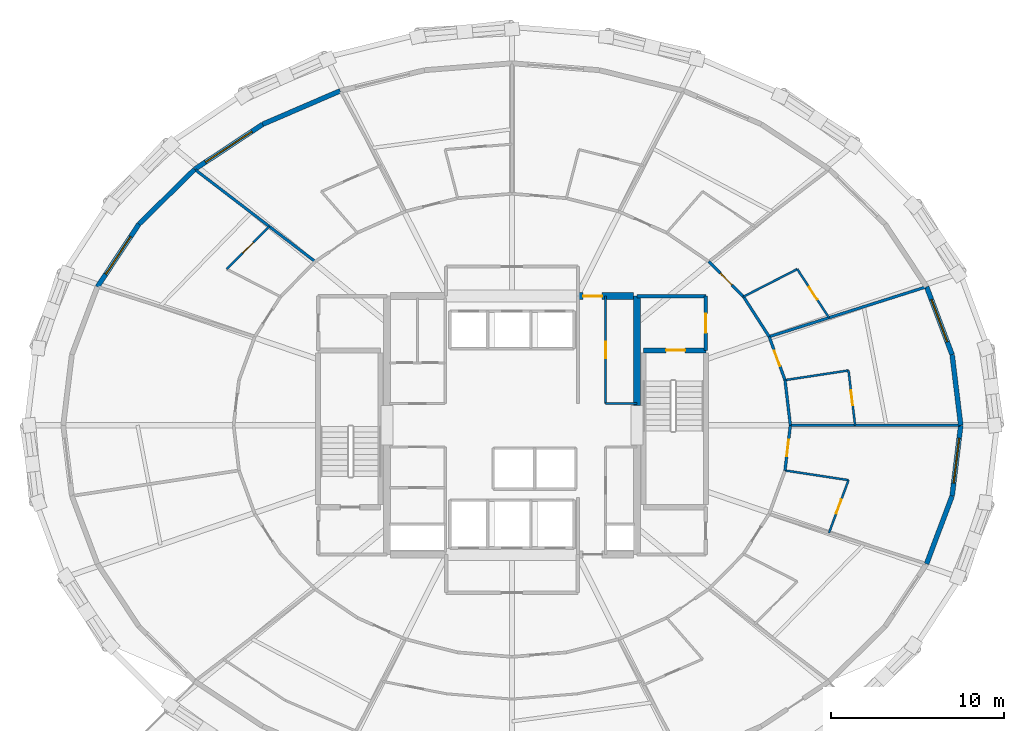
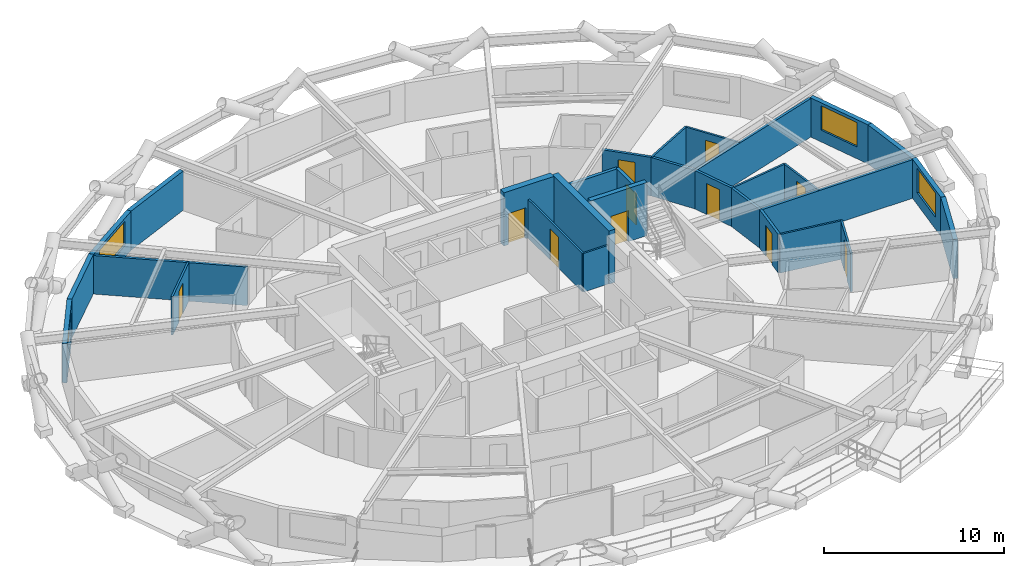
# One storey, part 10 of 13: 30 walls, 11 doors, 4 windows, 15 openings.
"""IFC4 building model written with IfcOpenShell, lengths in metres."""

from ifc_helpers import new_model, si_unit, direction, frame, frame_2d, origin, place, context, subcontext, project, spatial, rectangle, extrude, material, layer, layer_set, type_object, element, fill, save


model = new_model("IFC4")

# Units and contexts
model_context = context("Model", 3, precision=1e-05, world=origin(), true_north=direction((0.0, 1.0)))
body_context = subcontext(model_context, "Body", "Model", "MODEL_VIEW")
ifc_project = project(units=[si_unit("LENGTHUNIT", "METRE"), si_unit("AREAUNIT", "SQUARE_METRE"), si_unit("VOLUMEUNIT", "CUBIC_METRE"), si_unit("PLANEANGLEUNIT", "RADIAN"), si_unit("MASSUNIT", "GRAM", prefix="KILO")], contexts=[model_context])

# Site, building, storey
site_placement = place(None, origin())
site = spatial("IfcSite", under=ifc_project, at=site_placement, CompositionType="ELEMENT")
building_placement = place(site_placement, origin())
building = spatial("IfcBuilding", under=site, at=building_placement, Name="Veldorina Hangang Commons", CompositionType="ELEMENT")
storey_placement = place(building_placement, frame((0.0, 0.0, 37.60009765625)))
storey = spatial("IfcBuildingStorey", under=building, at=storey_placement, Name="L08", CompositionType="ELEMENT", Elevation=37.60009765625)

# Wall
ifc_material_1 = material(Name="Concrete C70/85", Category="concrete")
ifc_layer_1 = layer(ifc_material_1, 0.39990234375)
ifc_layer_set_1 = layer_set([ifc_layer_1], Name="Concrete C70/85")
wall_type_1 = type_object("IfcWallType", Name="CW-RC400-C70", PredefinedType="SHEAR", material=ifc_layer_set_1)
wall_1_placement = place(storey_placement, frame((39.199951171875, 25.14990234375, 0.0), z_axis=(0.0, 0.0, 1.0), x_axis=(0.0, 1.0, 0.0)))
element("IfcWall", 1, at=wall_1_placement, inside=storey, type_object=wall_type_1, Name="L08 E north core shear wall", PredefinedType="SHEAR", context=body_context, shape_type="SweptSolid", body=[
    extrude(rectangle(XDim=6.300048828125, YDim=0.39990234375, at=frame_2d((3.14990234375, 0.0))), origin(), (0.0, 0.0, 1.0), 3.599853515625),
])

# Wall, opening, door
wall_2_placement = place(storey_placement, frame((35.800048828125, 31.449951171875, 0.0), z_axis=(0.0, 0.0, 1.0), x_axis=(1.0, 0.0, 0.0)))
wall_2 = element("IfcWall", 2, at=wall_2_placement, inside=storey, type_object=wall_type_1, Name="L08 north-east core shear wall", PredefinedType="SHEAR", context=body_context, shape_type="SweptSolid", body=[
    extrude(rectangle(XDim=3.199951171875, YDim=0.39990234375, at=frame_2d((1.60009765625, 0.0))), origin(), (0.0, 0.0, 1.0), 3.599853515625),
])
opening_1_placement = place(wall_2_placement, frame((0.300048828125, 0.0, 0.0)))
opening_1 = element("IfcOpeningElement", 3, at=opening_1_placement, cuts=wall_2, Name="Opening D-08", PredefinedType="OPENING", context=body_context, shape_type="SweptSolid", body=[
    extrude(rectangle(XDim=1.10009765625, YDim=2.10009765625, at=frame_2d((0.550048828125, 1.050048828125))), frame((0.0, 0.2099609375, 0.0), z_axis=(0.0, -1.0, 0.0), x_axis=(1.0, 0.0, 0.0)), (0.0, 0.0, 1.0), 0.419921875),
])
ifc_material_2 = material(Name="Steel Fire-Rated Smoke Seal", Category="steel")
door_type_1 = type_object("IfcDoorType", Name="DR-FIRE-1100", OperationType="SINGLE_SWING_RIGHT", PredefinedType="DOOR", material=ifc_material_2)
door_1_placement = place(opening_1_placement, origin())
door_1 = element("IfcDoor", 4, at=door_1_placement, inside=storey, type_object=door_type_1, Name="L08 central lift lobby north corridor door", OperationType="SINGLE_SWING_LEFT", OverallHeight=2.10009765625, OverallWidth=1.10009765625, PredefinedType="DOOR", context=body_context, shape_type="SweptSolid", body=[
    extrude(rectangle(XDim=1.10009765625, YDim=2.10009765625, at=frame_2d((0.550048828125, 1.050048828125))), frame((0.0, 0.02490234375, 0.0), z_axis=(0.0, -1.0, 0.0), x_axis=(1.0, 0.0, 0.0)), (0.0, 0.0, 1.0), 0.050048828125),
])
fill(opening_1, door_1)

# Wall
ifc_material_3 = material(Name="Stone Roman Travertine", Category="masonry")
ifc_layer_2 = layer(ifc_material_3, 0.280029296875)
ifc_layer_set_2 = layer_set([ifc_layer_2], Name="Stone Roman Travertine")
wall_type_2 = type_object("IfcWallType", Name="EW-TRAV-280", PredefinedType="STANDARD", material=ifc_layer_set_2)
wall_3_placement = place(storey_placement, frame((57.873779296875, 24.0, 0.0), z_axis=(0.0, 0.0, 1.0), x_axis=(-0.121163069923, 0.99263261607, 0.0)))
element("IfcWall", 5, at=wall_3_placement, inside=storey, type_object=wall_type_2, Name="L08 travertine facade wall 00", PredefinedType="STANDARD", context=body_context, shape_type="SweptSolid", body=[
    extrude(rectangle(XDim=4.1025390625, YDim=0.280029296875, at=frame_2d((2.05126953125, 0.0))), origin(), (0.0, 0.0, 1.0), 2.64990234375),
])

# Wall, opening, window
wall_4_placement = place(storey_placement, frame((57.376708984375, 28.072265625, 0.0), z_axis=(0.0, 0.0, 1.0), x_axis=(-0.351961107614, 0.936014625274, 0.0)))
wall_4 = element("IfcWall", 6, at=wall_4_placement, inside=storey, type_object=wall_type_2, Name="L08 travertine facade wall 01", PredefinedType="STANDARD", context=body_context, shape_type="SweptSolid", body=[
    extrude(rectangle(XDim=4.183349609375, YDim=0.280029296875, at=frame_2d((2.091796875, 0.0))), origin(), (0.0, 0.0, 1.0), 2.64990234375),
])
opening_2_placement = place(wall_4_placement, frame((0.791748046875, 0.0, 0.800048828125)))
opening_2 = element("IfcOpeningElement", 7, at=opening_2_placement, cuts=wall_4, Name="Opening W-02", PredefinedType="OPENING", context=body_context, shape_type="SweptSolid", body=[
    extrude(rectangle(XDim=2.60009765625, YDim=1.64990234375, at=frame_2d((1.300048828125, 0.824951171875))), frame((0.0, 0.14990234375, 0.0), z_axis=(0.0, -1.0, 0.0), x_axis=(1.0, 0.0, 0.0)), (0.0, 0.0, 1.0), 0.300048828125),
])
ifc_material_4 = material(Name="Glass Low-E Triple IGU", Category="glass")
window_type_1 = type_object("IfcWindowType", Name="WIN-TWR-2600", PartitioningType="SINGLE_PANEL", PredefinedType="WINDOW", material=ifc_material_4)
window_1_placement = place(opening_2_placement, origin())
window_1 = element("IfcWindow", 8, at=window_1_placement, inside=storey, type_object=window_type_1, Name="L08 facade window 01", OverallHeight=1.64990234375, OverallWidth=2.60009765625, PartitioningType="SINGLE_PANEL", PredefinedType="WINDOW", context=body_context, shape_type="SweptSolid", body=[
    extrude(rectangle(XDim=2.60009765625, YDim=1.64990234375, at=frame_2d((1.300048828125, 0.824951171875))), frame((0.0, 0.030029296875, 0.0), z_axis=(0.0, -1.0, 0.0), x_axis=(1.0, 0.0, 0.0)), (0.0, 0.0, 1.0), 0.06005859375),
])
fill(opening_2, window_1)

# Wall
wall_5_placement = place(storey_placement, frame((22.098388671875, 43.284912109375, 0.0), z_axis=(0.0, 0.0, 1.0), x_axis=(-0.918258741023, -0.395980914356, 0.0)))
element("IfcWall", 9, at=wall_5_placement, inside=storey, type_object=wall_type_2, Name="L08 travertine facade wall 10", PredefinedType="STANDARD", context=body_context, shape_type="SweptSolid", body=[
    extrude(rectangle(XDim=4.871337890625, YDim=0.280029296875, at=frame_2d((2.435546875, 0.0))), origin(), (0.0, 0.0, 1.0), 2.64990234375),
])

# Wall, opening, window
wall_6_placement = place(storey_placement, frame((17.625244140625, 41.35595703125, 0.0), z_axis=(0.0, 0.0, 1.0), x_axis=(-0.833795486972, -0.552073442492, 0.0)))
wall_6 = element("IfcWall", 10, at=wall_6_placement, inside=storey, type_object=wall_type_2, Name="L08 travertine facade wall 11", PredefinedType="STANDARD", context=body_context, shape_type="SweptSolid", body=[
    extrude(rectangle(XDim=4.7021484375, YDim=0.280029296875, at=frame_2d((2.35107421875, 0.0))), origin(), (0.0, 0.0, 1.0), 2.64990234375),
])
opening_3_placement = place(wall_6_placement, frame((0.751220703125, 0.0, 0.800048828125)))
opening_3 = element("IfcOpeningElement", 11, at=opening_3_placement, cuts=wall_6, Name="Opening W-01", PredefinedType="OPENING", context=body_context, shape_type="SweptSolid", body=[
    extrude(rectangle(XDim=3.199951171875, YDim=1.64990234375, at=frame_2d((1.60009765625, 0.824951171875))), frame((0.0, 0.14990234375, 0.0), z_axis=(0.0, -1.0, 0.0), x_axis=(1.0, 0.0, 0.0)), (0.0, 0.0, 1.0), 0.300048828125),
])
window_type_2 = type_object("IfcWindowType", Name="WIN-TWR-3200", PartitioningType="SINGLE_PANEL", PredefinedType="WINDOW", material=ifc_material_4)
window_2_placement = place(opening_3_placement, origin())
window_2 = element("IfcWindow", 12, at=window_2_placement, inside=storey, type_object=window_type_2, Name="L08 facade window 11", OverallHeight=1.64990234375, OverallWidth=3.199951171875, PartitioningType="SINGLE_PANEL", PredefinedType="WINDOW", context=body_context, shape_type="SweptSolid", body=[
    extrude(rectangle(XDim=3.199951171875, YDim=1.64990234375, at=frame_2d((1.60009765625, 0.824951171875))), frame((0.0, 0.030029296875, 0.0), z_axis=(0.0, -1.0, 0.0), x_axis=(1.0, 0.0, 0.0)), (0.0, 0.0, 1.0), 0.06005859375),
])
fill(opening_3, window_2)

# Wall
wall_7_placement = place(storey_placement, frame((13.70458984375, 38.760009765625, 0.0), z_axis=(0.0, 0.0, 1.0), x_axis=(-0.713140886871, -0.701020738262, 0.0)))
element("IfcWall", 13, at=wall_7_placement, inside=storey, type_object=wall_type_2, Name="L08 travertine facade wall 12", PredefinedType="STANDARD", context=body_context, shape_type="SweptSolid", body=[
    extrude(rectangle(XDim=4.51220703125, YDim=0.280029296875, at=frame_2d((2.256103515625, 0.0))), origin(), (0.0, 0.0, 1.0), 2.64990234375),
])

# Wall, opening, window
wall_8_placement = place(storey_placement, frame((10.48681640625, 35.596923828125, 0.0), z_axis=(0.0, 0.0, 1.0), x_axis=(-0.552329372668, -0.833625973737, 0.0)))
wall_8 = element("IfcWall", 14, at=wall_8_placement, inside=storey, type_object=wall_type_2, Name="L08 travertine facade wall 13", PredefinedType="STANDARD", context=body_context, shape_type="SweptSolid", body=[
    extrude(rectangle(XDim=4.3291015625, YDim=0.280029296875, at=frame_2d((2.16455078125, 0.0))), origin(), (0.0, 0.0, 1.0), 2.64990234375),
])
opening_4_placement = place(wall_8_placement, frame((0.864501953125, 0.0, 0.800048828125)))
opening_4 = element("IfcOpeningElement", 15, at=opening_4_placement, cuts=wall_8, Name="Opening W-02", PredefinedType="OPENING", context=body_context, shape_type="SweptSolid", body=[
    extrude(rectangle(XDim=2.60009765625, YDim=1.64990234375, at=frame_2d((1.300048828125, 0.824951171875))), frame((0.0, 0.14990234375, 0.0), z_axis=(0.0, -1.0, 0.0), x_axis=(1.0, 0.0, 0.0)), (0.0, 0.0, 1.0), 0.300048828125),
])
window_3_placement = place(opening_4_placement, origin())
window_3 = element("IfcWindow", 16, at=window_3_placement, inside=storey, type_object=window_type_1, Name="L08 facade window 13", OverallHeight=1.64990234375, OverallWidth=2.60009765625, PartitioningType="SINGLE_PANEL", PredefinedType="WINDOW", context=body_context, shape_type="SweptSolid", body=[
    extrude(rectangle(XDim=2.60009765625, YDim=1.64990234375, at=frame_2d((1.300048828125, 0.824951171875))), frame((0.0, 0.030029296875, 0.0), z_axis=(0.0, -1.0, 0.0), x_axis=(1.0, 0.0, 0.0)), (0.0, 0.0, 1.0), 0.06005859375),
])
fill(opening_4, window_3)

# Wall
wall_9_placement = place(storey_placement, frame((55.904296875, 16.011962890625, 0.0), z_axis=(0.0, 0.0, 1.0), x_axis=(0.351961107614, 0.936014625274, 0.0)))
element("IfcWall", 17, at=wall_9_placement, inside=storey, type_object=wall_type_2, Name="L08 travertine facade wall 30", PredefinedType="STANDARD", context=body_context, shape_type="SweptSolid", body=[
    extrude(rectangle(XDim=4.183349609375, YDim=0.280029296875, at=frame_2d((2.091796875, 0.0))), origin(), (0.0, 0.0, 1.0), 2.64990234375),
])

# Wall, opening, window
wall_10_placement = place(storey_placement, frame((57.376708984375, 19.927734375, 0.0), z_axis=(0.0, 0.0, 1.0), x_axis=(0.121163069923, 0.99263261607, 0.0)))
wall_10 = element("IfcWall", 18, at=wall_10_placement, inside=storey, type_object=wall_type_2, Name="L08 travertine facade wall 31", PredefinedType="STANDARD", context=body_context, shape_type="SweptSolid", body=[
    extrude(rectangle(XDim=4.1025390625, YDim=0.280029296875, at=frame_2d((2.05126953125, 0.0))), origin(), (0.0, 0.0, 1.0), 2.64990234375),
])
opening_5_placement = place(wall_10_placement, frame((0.751220703125, 0.0, 0.800048828125)))
opening_5 = element("IfcOpeningElement", 19, at=opening_5_placement, cuts=wall_10, Name="Opening W-02", PredefinedType="OPENING", context=body_context, shape_type="SweptSolid", body=[
    extrude(rectangle(XDim=2.60009765625, YDim=1.64990234375, at=frame_2d((1.300048828125, 0.824951171875))), frame((0.0, 0.14990234375, 0.0), z_axis=(0.0, -1.0, 0.0), x_axis=(1.0, 0.0, 0.0)), (0.0, 0.0, 1.0), 0.300048828125),
])
window_4_placement = place(opening_5_placement, origin())
window_4 = element("IfcWindow", 20, at=window_4_placement, inside=storey, type_object=window_type_1, Name="L08 facade window 31", OverallHeight=1.64990234375, OverallWidth=2.60009765625, PartitioningType="SINGLE_PANEL", PredefinedType="WINDOW", context=body_context, shape_type="SweptSolid", body=[
    extrude(rectangle(XDim=2.60009765625, YDim=1.64990234375, at=frame_2d((1.300048828125, 0.824951171875))), frame((0.0, 0.030029296875, 0.0), z_axis=(0.0, -1.0, 0.0), x_axis=(1.0, 0.0, 0.0)), (0.0, 0.0, 1.0), 0.06005859375),
])
fill(opening_5, window_4)

# Wall, opening, door
ifc_material_5 = material(Name="Concrete C50/60", Category="concrete")
ifc_layer_3 = layer(ifc_material_5, 0.300048828125)
ifc_layer_set_3 = layer_set([ifc_layer_3], Name="Concrete C50/60")
wall_type_3 = type_object("IfcWallType", Name="SW-STAIR-300", PredefinedType="SHEAR", material=ifc_layer_set_3)
wall_11_placement = place(storey_placement, frame((39.580078125, 28.320068359375, 0.0), z_axis=(0.0, 0.0, 1.0), x_axis=(1.0, 0.0, 0.0)))
wall_11 = element("IfcWall", 21, at=wall_11_placement, inside=storey, type_object=wall_type_3, Name="L08 ST2 north stair shear wall", PredefinedType="SHEAR", context=body_context, shape_type="SweptSolid", body=[
    extrude(rectangle(XDim=3.599853515625, YDim=0.300048828125, at=frame_2d((1.7998046875, 0.0))), origin(), (0.0, 0.0, 1.0), 3.599853515625),
])
opening_6_placement = place(wall_11_placement, frame((1.300048828125, 0.0, 0.0)))
opening_6 = element("IfcOpeningElement", 22, at=opening_6_placement, cuts=wall_11, Name="Opening D-08", PredefinedType="OPENING", context=body_context, shape_type="SweptSolid", body=[
    extrude(rectangle(XDim=1.10009765625, YDim=2.10009765625, at=frame_2d((0.550048828125, 1.050048828125))), frame((0.0, 0.16015625, 0.0), z_axis=(0.0, -1.0, 0.0), x_axis=(1.0, 0.0, 0.0)), (0.0, 0.0, 1.0), 0.320068359375),
])
door_2_placement = place(opening_6_placement, origin())
door_2 = element("IfcDoor", 23, at=door_2_placement, inside=storey, type_object=door_type_1, Name="L08 Special Escape Stair ST-2 door", OperationType="SINGLE_SWING_RIGHT", OverallHeight=2.10009765625, OverallWidth=1.10009765625, PredefinedType="DOOR", context=body_context, shape_type="SweptSolid", body=[
    extrude(rectangle(XDim=1.10009765625, YDim=2.10009765625, at=frame_2d((0.550048828125, 1.050048828125))), frame((0.0, 0.02490234375, 0.0), z_axis=(0.0, -1.0, 0.0), x_axis=(1.0, 0.0, 0.0)), (0.0, 0.0, 1.0), 0.050048828125),
])
fill(opening_6, door_2)

# Wall
ifc_material_6 = material(Name="Gypsum Fire-Rated Twin Stud Wall", Category="gypsum")
ifc_layer_4 = layer(ifc_material_6, 0.159912109375)
ifc_layer_set_4 = layer_set([ifc_layer_4], Name="Gypsum Fire-Rated Twin Stud Wall")
wall_type_4 = type_object("IfcWallType", Name="WL-FIRE-160", PredefinedType="SOLIDWALL", material=ifc_layer_set_4)
wall_12_placement = place(storey_placement, frame((48.050048828125, 24.0, 0.0), z_axis=(0.0, 0.0, 1.0), x_axis=(-0.117570353762, 0.993064555765, 0.0)))
element("IfcWall", 24, at=wall_12_placement, inside=storey, type_object=wall_type_4, Name="L08 Corridor outer wall 00 048", PredefinedType="SOLIDWALL", context=body_context, shape_type="SweptSolid", body=[
    extrude(rectangle(XDim=2.622802734375, YDim=0.159912109375, at=frame_2d((1.3115234375, 0.0))), origin(), (0.0, 0.0, 1.0), 2.60986328125),
])

# Wall, opening, door
wall_13_placement = place(storey_placement, frame((47.74169921875, 26.6044921875, 0.0), z_axis=(0.0, 0.0, 1.0), x_axis=(-0.342617982381, 0.939474809747, 0.0)))
wall_13 = element("IfcWall", 25, at=wall_13_placement, inside=storey, type_object=wall_type_4, Name="L08 Corridor outer wall 01 049", PredefinedType="SOLIDWALL", context=body_context, shape_type="SweptSolid", body=[
    extrude(rectangle(XDim=2.665771484375, YDim=0.159912109375, at=frame_2d((1.3330078125, 0.0))), origin(), (0.0, 0.0, 1.0), 2.60986328125),
])
opening_7_placement = place(wall_13_placement, frame((0.85791015625, 0.0, 0.0)))
opening_7 = element("IfcOpeningElement", 26, at=opening_7_placement, cuts=wall_13, Name="Opening D-03", PredefinedType="OPENING", context=body_context, shape_type="SweptSolid", body=[
    extrude(rectangle(XDim=0.949951171875, YDim=2.10009765625, at=frame_2d((0.47509765625, 1.050048828125))), frame((0.0, 0.08984375, 0.0), z_axis=(0.0, -1.0, 0.0), x_axis=(1.0, 0.0, 0.0)), (0.0, 0.0, 1.0), 0.179931640625),
])
ifc_material_7 = material(Name="Timber Fire-Rated Entrance Core", Category="wood")
door_type_2 = type_object("IfcDoorType", Name="DR-UNIT-950", OperationType="SINGLE_SWING_RIGHT", PredefinedType="DOOR", material=ifc_material_7)
door_3_placement = place(opening_7_placement, origin())
door_3 = element("IfcDoor", 27, at=door_3_placement, inside=storey, type_object=door_type_2, Name="L08 Studio 5 entrance door 029", OperationType="SINGLE_SWING_LEFT", OverallHeight=2.10009765625, OverallWidth=0.949951171875, PredefinedType="DOOR", context=body_context, shape_type="SweptSolid", body=[
    extrude(rectangle(XDim=0.949951171875, YDim=2.10009765625, at=frame_2d((0.47509765625, 1.050048828125))), frame((0.0, 0.02490234375, 0.0), z_axis=(0.0, -1.0, 0.0), x_axis=(1.0, 0.0, 0.0)), (0.0, 0.0, 1.0), 0.050048828125),
])
fill(opening_7, door_3)

# Wall
wall_14_placement = place(storey_placement, frame((46.828369140625, 29.10888671875, 0.0), z_axis=(0.0, 0.0, 1.0), x_axis=(-0.540595670038, 0.841282545603, 0.0)))
element("IfcWall", 28, at=wall_14_placement, inside=storey, type_object=wall_type_4, Name="L08 Corridor outer wall 02 050", PredefinedType="SOLIDWALL", context=body_context, shape_type="SweptSolid", body=[
    extrude(rectangle(XDim=2.74365234375, YDim=0.159912109375, at=frame_2d((1.371826171875, 0.0))), origin(), (0.0, 0.0, 1.0), 2.60986328125),
])

# Wall, opening, door
wall_15_placement = place(storey_placement, frame((45.34521484375, 31.4169921875, 0.0), z_axis=(0.0, 0.0, 1.0), x_axis=(-0.702366174226, 0.711815816981, 0.0)))
wall_15 = element("IfcWall", 29, at=wall_15_placement, inside=storey, type_object=wall_type_4, Name="L08 Corridor outer wall 03 051", PredefinedType="SOLIDWALL", context=body_context, shape_type="SweptSolid", body=[
    extrude(rectangle(XDim=2.842041015625, YDim=0.159912109375, at=frame_2d((1.4208984375, 0.0))), origin(), (0.0, 0.0, 1.0), 2.60986328125),
])
opening_8_placement = place(wall_15_placement, frame((0.94580078125, 0.0, 0.0)))
opening_8 = element("IfcOpeningElement", 30, at=opening_8_placement, cuts=wall_15, Name="Opening D-03", PredefinedType="OPENING", context=body_context, shape_type="SweptSolid", body=[
    extrude(rectangle(XDim=0.949951171875, YDim=2.10009765625, at=frame_2d((0.47509765625, 1.050048828125))), frame((0.0, 0.08984375, 0.0), z_axis=(0.0, -1.0, 0.0), x_axis=(1.0, 0.0, 0.0)), (0.0, 0.0, 1.0), 0.179931640625),
])
door_4_placement = place(opening_8_placement, origin())
door_4 = element("IfcDoor", 31, at=door_4_placement, inside=storey, type_object=door_type_2, Name="L08 Studio 6 entrance door 031", OperationType="SINGLE_SWING_LEFT", OverallHeight=2.10009765625, OverallWidth=0.949951171875, PredefinedType="DOOR", context=body_context, shape_type="SweptSolid", body=[
    extrude(rectangle(XDim=0.949951171875, YDim=2.10009765625, at=frame_2d((0.47509765625, 1.050048828125))), frame((0.0, 0.02490234375, 0.0), z_axis=(0.0, -1.0, 0.0), x_axis=(1.0, 0.0, 0.0)), (0.0, 0.0, 1.0), 0.050048828125),
])
fill(opening_8, door_4)

wall_16_placement = place(storey_placement, frame((47.74169921875, 21.3955078125, 0.0), z_axis=(0.0, 0.0, 1.0), x_axis=(0.117570353762, 0.993064555765, 0.0)))
wall_16 = element("IfcWall", 32, at=wall_16_placement, inside=storey, type_object=wall_type_4, Name="L08 Corridor outer wall 31 079", PredefinedType="SOLIDWALL", context=body_context, shape_type="SweptSolid", body=[
    extrude(rectangle(XDim=2.622802734375, YDim=0.159912109375, at=frame_2d((1.3115234375, 0.0))), origin(), (0.0, 0.0, 1.0), 2.60986328125),
])
opening_9_placement = place(wall_16_placement, frame((0.83642578125, 0.0, 0.0)))
opening_9 = element("IfcOpeningElement", 33, at=opening_9_placement, cuts=wall_16, Name="Opening D-03", PredefinedType="OPENING", context=body_context, shape_type="SweptSolid", body=[
    extrude(rectangle(XDim=0.949951171875, YDim=2.10009765625, at=frame_2d((0.47509765625, 1.050048828125))), frame((0.0, 0.08984375, 0.0), z_axis=(0.0, -1.0, 0.0), x_axis=(1.0, 0.0, 0.0)), (0.0, 0.0, 1.0), 0.179931640625),
])
door_5_placement = place(opening_9_placement, origin())
door_5 = element("IfcDoor", 34, at=door_5_placement, inside=storey, type_object=door_type_2, Name="L08 Studio 4 entrance door 027", OperationType="SINGLE_SWING_LEFT", OverallHeight=2.10009765625, OverallWidth=0.949951171875, PredefinedType="DOOR", context=body_context, shape_type="SweptSolid", body=[
    extrude(rectangle(XDim=0.949951171875, YDim=2.10009765625, at=frame_2d((0.47509765625, 1.050048828125))), frame((0.0, 0.02490234375, 0.0), z_axis=(0.0, -1.0, 0.0), x_axis=(1.0, 0.0, 0.0)), (0.0, 0.0, 1.0), 0.050048828125),
])
fill(opening_9, door_5)

# Walls
wall_17_placement = place(storey_placement, frame((48.050048828125, 24.0, 0.0), z_axis=(0.0, 0.0, 1.0), x_axis=(1.0, 0.0, 0.0)))
element("IfcWall", 35, at=wall_17_placement, inside=storey, type_object=wall_type_4, Name="L08 Unit party wall 00 094", PredefinedType="SOLIDWALL", context=body_context, shape_type="SweptSolid", body=[
    extrude(rectangle(XDim=9.773681640625, YDim=0.159912109375, at=frame_2d((4.88671875, 0.0))), origin(), (0.0, 0.0, 1.0), 2.60986328125),
])
wall_18_placement = place(storey_placement, frame((46.828369140625, 29.10888671875, 0.0), z_axis=(0.0, 0.0, 1.0), x_axis=(0.953188788185, 0.30237581596, 0.0)))
element("IfcWall", 36, at=wall_18_placement, inside=storey, type_object=wall_type_4, Name="L08 Unit party wall 02 097", PredefinedType="SOLIDWALL", context=body_context, shape_type="SweptSolid", body=[
    extrude(rectangle(XDim=9.4716796875, YDim=0.159912109375, at=frame_2d((4.73583984375, 0.0))), origin(), (0.0, 0.0, 1.0), 2.60986328125),
])
wall_19_placement = place(storey_placement, frame((20.65087890625, 33.43994140625, 0.0), z_axis=(0.0, 0.0, 1.0), x_axis=(-0.793917921688, 0.608024944902, 0.0)))
element("IfcWall", 37, at=wall_19_placement, inside=storey, type_object=wall_type_4, Name="L08 Unit party wall 12 112", PredefinedType="SOLIDWALL", context=body_context, shape_type="SweptSolid", body=[
    extrude(rectangle(XDim=8.699462890625, YDim=0.159912109375, at=frame_2d((4.349609375, 0.0))), origin(), (0.0, 0.0, 1.0), 2.60986328125),
])

# Wall, opening, door
ifc_material_8 = material(Name="Concrete Blockwork Fire Wall C30/37", Category="masonry")
ifc_layer_5 = layer(ifc_material_8, 0.199951171875)
ifc_layer_set_5 = layer_set([ifc_layer_5], Name="Concrete Blockwork Fire Wall C30/37")
wall_type_5 = type_object("IfcWallType", Name="WL-FIRE-200", PredefinedType="SOLIDWALL", material=ifc_layer_set_5)
wall_20_placement = place(storey_placement, frame((43.179931640625, 28.320068359375, 0.0), z_axis=(0.0, 0.0, 1.0), x_axis=(0.0, 1.0, 0.0)))
wall_20 = element("IfcWall", 38, at=wall_20_placement, inside=storey, type_object=wall_type_5, Name="L08 East vestibule outer wall 003", PredefinedType="SOLIDWALL", context=body_context, shape_type="SweptSolid", body=[
    extrude(rectangle(XDim=3.1298828125, YDim=0.199951171875, at=frame_2d((1.56494140625, 0.0))), origin(), (0.0, 0.0, 1.0), 2.60986328125),
])
opening_10_placement = place(wall_20_placement, frame((1.014892578125, 0.0, 0.0)))
opening_10 = element("IfcOpeningElement", 39, at=opening_10_placement, cuts=wall_20, Name="Opening D-08", PredefinedType="OPENING", context=body_context, shape_type="SweptSolid", body=[
    extrude(rectangle(XDim=1.10009765625, YDim=2.10009765625, at=frame_2d((0.550048828125, 1.050048828125))), frame((0.0, 0.10986328125, 0.0), z_axis=(0.0, -1.0, 0.0), x_axis=(1.0, 0.0, 0.0)), (0.0, 0.0, 1.0), 0.219970703125),
])
door_6_placement = place(opening_10_placement, origin())
door_6 = element("IfcDoor", 40, at=door_6_placement, inside=storey, type_object=door_type_1, Name="L08 East vestibule east door 002", OperationType="SINGLE_SWING_RIGHT", OverallHeight=2.10009765625, OverallWidth=1.10009765625, PredefinedType="DOOR", context=body_context, shape_type="SweptSolid", body=[
    extrude(rectangle(XDim=1.10009765625, YDim=2.10009765625, at=frame_2d((0.550048828125, 1.050048828125))), frame((0.0, 0.02490234375, 0.0), z_axis=(0.0, -1.0, 0.0), x_axis=(1.0, 0.0, 0.0)), (0.0, 0.0, 1.0), 0.050048828125),
])
fill(opening_10, door_6)

# Wall
wall_21_placement = place(storey_placement, frame((39.199951171875, 31.449951171875, 0.0), z_axis=(0.0, 0.0, 1.0), x_axis=(1.0, 0.0, 0.0)))
element("IfcWall", 41, at=wall_21_placement, inside=storey, type_object=wall_type_5, Name="L08 East vestibule north wall 004", PredefinedType="SOLIDWALL", context=body_context, shape_type="SweptSolid", body=[
    extrude(rectangle(XDim=3.97998046875, YDim=0.199951171875, at=frame_2d((1.989990234375, 0.0))), origin(), (0.0, 0.0, 1.0), 2.60986328125),
])

# Wall, opening, door
ifc_material_9 = material(Name="Gypsum Acoustic Stud Partition", Category="gypsum")
ifc_layer_6 = layer(ifc_material_9, 0.1201171875)
ifc_layer_set_6 = layer_set([ifc_layer_6], Name="Gypsum Acoustic Stud Partition")
wall_type_6 = type_object("IfcWallType", Name="WL-PART-120", PredefinedType="PARTITIONING", material=ifc_layer_set_6)
wall_22_placement = place(storey_placement, frame((37.39990234375, 25.25, 0.0), z_axis=(0.0, 0.0, 1.0), x_axis=(0.0, 1.0, 0.0)))
wall_22 = element("IfcWall", 42, at=wall_22_placement, inside=storey, type_object=wall_type_6, Name="L08 NE strip lobby wall 041", PredefinedType="PARTITIONING", context=body_context, shape_type="SweptSolid", body=[
    extrude(rectangle(XDim=6.199951171875, YDim=0.1201171875, at=frame_2d((3.10009765625, 0.0))), origin(), (0.0, 0.0, 1.0), 2.60986328125),
])
opening_11_placement = place(wall_22_placement, frame((2.625, 0.0, 0.0)))
opening_11 = element("IfcOpeningElement", 43, at=opening_11_placement, cuts=wall_22, Name="Opening D-02", PredefinedType="OPENING", context=body_context, shape_type="SweptSolid", body=[
    extrude(rectangle(XDim=0.949951171875, YDim=2.10009765625, at=frame_2d((0.47509765625, 1.050048828125))), frame((0.0, 0.070068359375, 0.0), z_axis=(0.0, -1.0, 0.0), x_axis=(1.0, 0.0, 0.0)), (0.0, 0.0, 1.0), 0.14013671875),
])
ifc_material_10 = material(Name="Timber Solid Core Acoustic", Category="wood")
door_type_3 = type_object("IfcDoorType", Name="DR-INT-950", OperationType="SINGLE_SWING_LEFT", PredefinedType="DOOR", material=ifc_material_10)
door_7_placement = place(opening_11_placement, origin())
door_7 = element("IfcDoor", 44, at=door_7_placement, inside=storey, type_object=door_type_3, Name="L08 Switchboard door 018", OperationType="SINGLE_SWING_RIGHT", OverallHeight=2.10009765625, OverallWidth=0.949951171875, PredefinedType="DOOR", context=body_context, shape_type="SweptSolid", body=[
    extrude(rectangle(XDim=0.949951171875, YDim=2.10009765625, at=frame_2d((0.47509765625, 1.050048828125))), frame((0.0, 0.02490234375, 0.0), z_axis=(0.0, -1.0, 0.0), x_axis=(1.0, 0.0, 0.0)), (0.0, 0.0, 1.0), 0.050048828125),
])
fill(opening_11, door_7)

# Wall
wall_23_placement = place(storey_placement, frame((37.39990234375, 25.25, 0.0), z_axis=(0.0, 0.0, 1.0), x_axis=(1.0, 0.0, 0.0)))
element("IfcWall", 45, at=wall_23_placement, inside=storey, type_object=wall_type_6, Name="L08 NE strip south return wall 042", PredefinedType="PARTITIONING", context=body_context, shape_type="SweptSolid", body=[
    extrude(rectangle(XDim=1.800048828125, YDim=0.1201171875, at=frame_2d((0.89990234375, 0.0))), origin(), (0.0, 0.0, 1.0), 2.60986328125),
])

# Wall, opening, door
wall_24_placement = place(storey_placement, frame((50.277099609375, 17.797119140625, 0.0), z_axis=(0.0, 0.0, 1.0), x_axis=(0.347208897113, 0.937787812762, 0.0)))
wall_24 = element("IfcWall", 46, at=wall_24_placement, inside=storey, type_object=wall_type_6, Name="L08 Studio 4 bath front wall 092", PredefinedType="PARTITIONING", context=body_context, shape_type="SweptSolid", body=[
    extrude(rectangle(XDim=3.2421875, YDim=0.1201171875, at=frame_2d((1.62109375, 0.0))), origin(), (0.0, 0.0, 1.0), 2.60986328125),
])
opening_12_placement = place(wall_24_placement, frame((1.191162109375, 0.0, 0.0)))
opening_12 = element("IfcOpeningElement", 47, at=opening_12_placement, cuts=wall_24, Name="Opening D-01", PredefinedType="OPENING", context=body_context, shape_type="SweptSolid", body=[
    extrude(rectangle(XDim=0.860107421875, YDim=2.10009765625, at=frame_2d((0.43017578125, 1.050048828125))), frame((0.0, 0.070068359375, 0.0), z_axis=(0.0, -1.0, 0.0), x_axis=(1.0, 0.0, 0.0)), (0.0, 0.0, 1.0), 0.14013671875),
])
ifc_material_11 = material(Name="Timber Moisture-Resistant Core", Category="wood")
door_type_4 = type_object("IfcDoorType", Name="DR-WET-860", OperationType="SINGLE_SWING_LEFT", PredefinedType="DOOR", material=ifc_material_11)
door_8_placement = place(opening_12_placement, origin())
door_8 = element("IfcDoor", 48, at=door_8_placement, inside=storey, type_object=door_type_4, Name="L08 Studio 4 bathroom door 026", OperationType="SINGLE_SWING_RIGHT", OverallHeight=2.10009765625, OverallWidth=0.860107421875, PredefinedType="DOOR", context=body_context, shape_type="SweptSolid", body=[
    extrude(rectangle(XDim=0.860107421875, YDim=2.10009765625, at=frame_2d((0.43017578125, 1.050048828125))), frame((0.0, 0.02490234375, 0.0), z_axis=(0.0, -1.0, 0.0), x_axis=(1.0, 0.0, 0.0)), (0.0, 0.0, 1.0), 0.050048828125),
])
fill(opening_12, door_8)

# Wall
wall_25_placement = place(storey_placement, frame((47.74169921875, 21.3955078125, 0.0), z_axis=(0.0, 0.0, 1.0), x_axis=(0.98858940406, -0.150635288629, 0.0)))
element("IfcWall", 49, at=wall_25_placement, inside=storey, type_object=wall_type_6, Name="L08 Studio 4 bath side wall 093", PredefinedType="PARTITIONING", context=body_context, shape_type="SweptSolid", body=[
    extrude(rectangle(XDim=3.703369140625, YDim=0.1201171875, at=frame_2d((1.8515625, 0.0))), origin(), (0.0, 0.0, 1.0), 2.60986328125),
])

# Wall, opening, door
wall_26_placement = place(storey_placement, frame((51.782958984375, 24.0, 0.0), z_axis=(0.0, 0.0, 1.0), x_axis=(-0.119344702743, 0.992852880304, 0.0)))
wall_26 = element("IfcWall", 50, at=wall_26_placement, inside=storey, type_object=wall_type_6, Name="L08 Studio 5 bath front wall 095", PredefinedType="PARTITIONING", context=body_context, shape_type="SweptSolid", body=[
    extrude(rectangle(XDim=3.18505859375, YDim=0.1201171875, at=frame_2d((1.592529296875, 0.0))), origin(), (0.0, 0.0, 1.0), 2.60986328125),
])
opening_13_placement = place(wall_26_placement, frame((1.16259765625, 0.0, 0.0)))
opening_13 = element("IfcOpeningElement", 51, at=opening_13_placement, cuts=wall_26, Name="Opening D-01", PredefinedType="OPENING", context=body_context, shape_type="SweptSolid", body=[
    extrude(rectangle(XDim=0.860107421875, YDim=2.10009765625, at=frame_2d((0.43017578125, 1.050048828125))), frame((0.0, 0.070068359375, 0.0), z_axis=(0.0, -1.0, 0.0), x_axis=(1.0, 0.0, 0.0)), (0.0, 0.0, 1.0), 0.14013671875),
])
door_9_placement = place(opening_13_placement, origin())
door_9 = element("IfcDoor", 52, at=door_9_placement, inside=storey, type_object=door_type_4, Name="L08 Studio 5 bathroom door 028", OperationType="SINGLE_SWING_RIGHT", OverallHeight=2.10009765625, OverallWidth=0.860107421875, PredefinedType="DOOR", context=body_context, shape_type="SweptSolid", body=[
    extrude(rectangle(XDim=0.860107421875, YDim=2.10009765625, at=frame_2d((0.43017578125, 1.050048828125))), frame((0.0, 0.02490234375, 0.0), z_axis=(0.0, -1.0, 0.0), x_axis=(1.0, 0.0, 0.0)), (0.0, 0.0, 1.0), 0.050048828125),
])
fill(opening_13, door_9)

# Wall
wall_27_placement = place(storey_placement, frame((47.74169921875, 26.6044921875, 0.0), z_axis=(0.0, 0.0, 1.0), x_axis=(0.98858940406, 0.150635288629, 0.0)))
element("IfcWall", 53, at=wall_27_placement, inside=storey, type_object=wall_type_6, Name="L08 Studio 5 bath side wall 096", PredefinedType="PARTITIONING", context=body_context, shape_type="SweptSolid", body=[
    extrude(rectangle(XDim=3.703369140625, YDim=0.1201171875, at=frame_2d((1.8515625, 0.0))), origin(), (0.0, 0.0, 1.0), 2.60986328125),
])

# Wall, opening, door
wall_28_placement = place(storey_placement, frame((50.277099609375, 30.202880859375, 0.0), z_axis=(0.0, 0.0, 1.0), x_axis=(-0.546354579637, 0.837553982326, 0.0)))
wall_28 = element("IfcWall", 54, at=wall_28_placement, inside=storey, type_object=wall_type_6, Name="L08 Studio 6 bath front wall 098", PredefinedType="PARTITIONING", context=body_context, shape_type="SweptSolid", body=[
    extrude(rectangle(XDim=3.345947265625, YDim=0.1201171875, at=frame_2d((1.6728515625, 0.0))), origin(), (0.0, 0.0, 1.0), 2.60986328125),
])
opening_14_placement = place(wall_28_placement, frame((1.242919921875, 0.0, 0.0)))
opening_14 = element("IfcOpeningElement", 55, at=opening_14_placement, cuts=wall_28, Name="Opening D-01", PredefinedType="OPENING", context=body_context, shape_type="SweptSolid", body=[
    extrude(rectangle(XDim=0.860107421875, YDim=2.10009765625, at=frame_2d((0.43017578125, 1.050048828125))), frame((0.0, 0.070068359375, 0.0), z_axis=(0.0, -1.0, 0.0), x_axis=(1.0, 0.0, 0.0)), (0.0, 0.0, 1.0), 0.14013671875),
])
door_10_placement = place(opening_14_placement, origin())
door_10 = element("IfcDoor", 56, at=door_10_placement, inside=storey, type_object=door_type_4, Name="L08 Studio 6 bathroom door 030", OperationType="SINGLE_SWING_RIGHT", OverallHeight=2.10009765625, OverallWidth=0.860107421875, PredefinedType="DOOR", context=body_context, shape_type="SweptSolid", body=[
    extrude(rectangle(XDim=0.860107421875, YDim=2.10009765625, at=frame_2d((0.43017578125, 1.050048828125))), frame((0.0, 0.02490234375, 0.0), z_axis=(0.0, -1.0, 0.0), x_axis=(1.0, 0.0, 0.0)), (0.0, 0.0, 1.0), 0.050048828125),
])
fill(opening_14, door_10)

# Wall
wall_29_placement = place(storey_placement, frame((45.34521484375, 31.4169921875, 0.0), z_axis=(0.0, 0.0, 1.0), x_axis=(0.890200615817, 0.455568725439, 0.0)))
element("IfcWall", 57, at=wall_29_placement, inside=storey, type_object=wall_type_6, Name="L08 Studio 6 bath side wall 099", PredefinedType="PARTITIONING", context=body_context, shape_type="SweptSolid", body=[
    extrude(rectangle(XDim=3.486572265625, YDim=0.1201171875, at=frame_2d((1.7431640625, 0.0))), origin(), (0.0, 0.0, 1.0), 2.60986328125),
])

# Wall, opening, door
wall_30_placement = place(storey_placement, frame((18.01123046875, 35.46142578125, 0.0), z_axis=(0.0, 0.0, 1.0), x_axis=(-0.707703480641, -0.706509577776, 0.0)))
wall_30 = element("IfcWall", 58, at=wall_30_placement, inside=storey, type_object=wall_type_6, Name="L08 Studio 11 bath front wall 113", PredefinedType="PARTITIONING", context=body_context, shape_type="SweptSolid", body=[
    extrude(rectangle(XDim=3.476318359375, YDim=0.1201171875, at=frame_2d((1.73828125, 0.0))), origin(), (0.0, 0.0, 1.0), 2.60986328125),
])
opening_15_placement = place(wall_30_placement, frame((1.308349609375, 0.0, 0.0)))
opening_15 = element("IfcOpeningElement", 59, at=opening_15_placement, cuts=wall_30, Name="Opening D-01", PredefinedType="OPENING", context=body_context, shape_type="SweptSolid", body=[
    extrude(rectangle(XDim=0.860107421875, YDim=2.10009765625, at=frame_2d((0.43017578125, 1.050048828125))), frame((0.0, 0.070068359375, 0.0), z_axis=(0.0, -1.0, 0.0), x_axis=(1.0, 0.0, 0.0)), (0.0, 0.0, 1.0), 0.14013671875),
])
door_11_placement = place(opening_15_placement, origin())
door_11 = element("IfcDoor", 60, at=door_11_placement, inside=storey, type_object=door_type_4, Name="L08 Studio 11 bathroom door 040", OperationType="SINGLE_SWING_RIGHT", OverallHeight=2.10009765625, OverallWidth=0.860107421875, PredefinedType="DOOR", context=body_context, shape_type="SweptSolid", body=[
    extrude(rectangle(XDim=0.860107421875, YDim=2.10009765625, at=frame_2d((0.43017578125, 1.050048828125))), frame((0.0, 0.02490234375, 0.0), z_axis=(0.0, -1.0, 0.0), x_axis=(1.0, 0.0, 0.0)), (0.0, 0.0, 1.0), 0.050048828125),
])
fill(opening_15, door_11)

save(model, "model.ifc")
